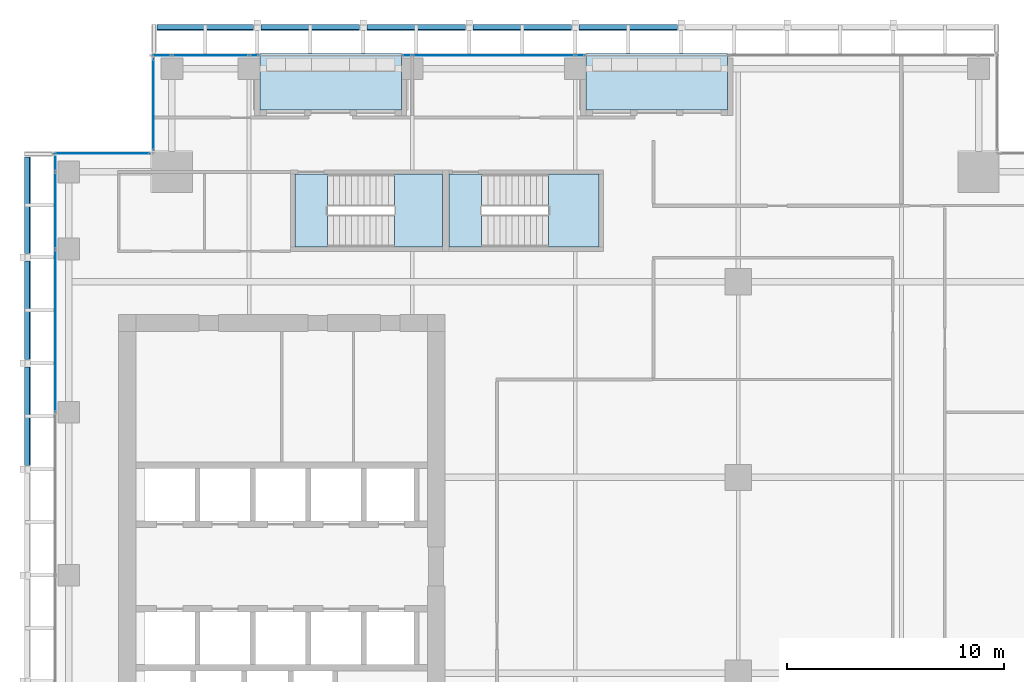
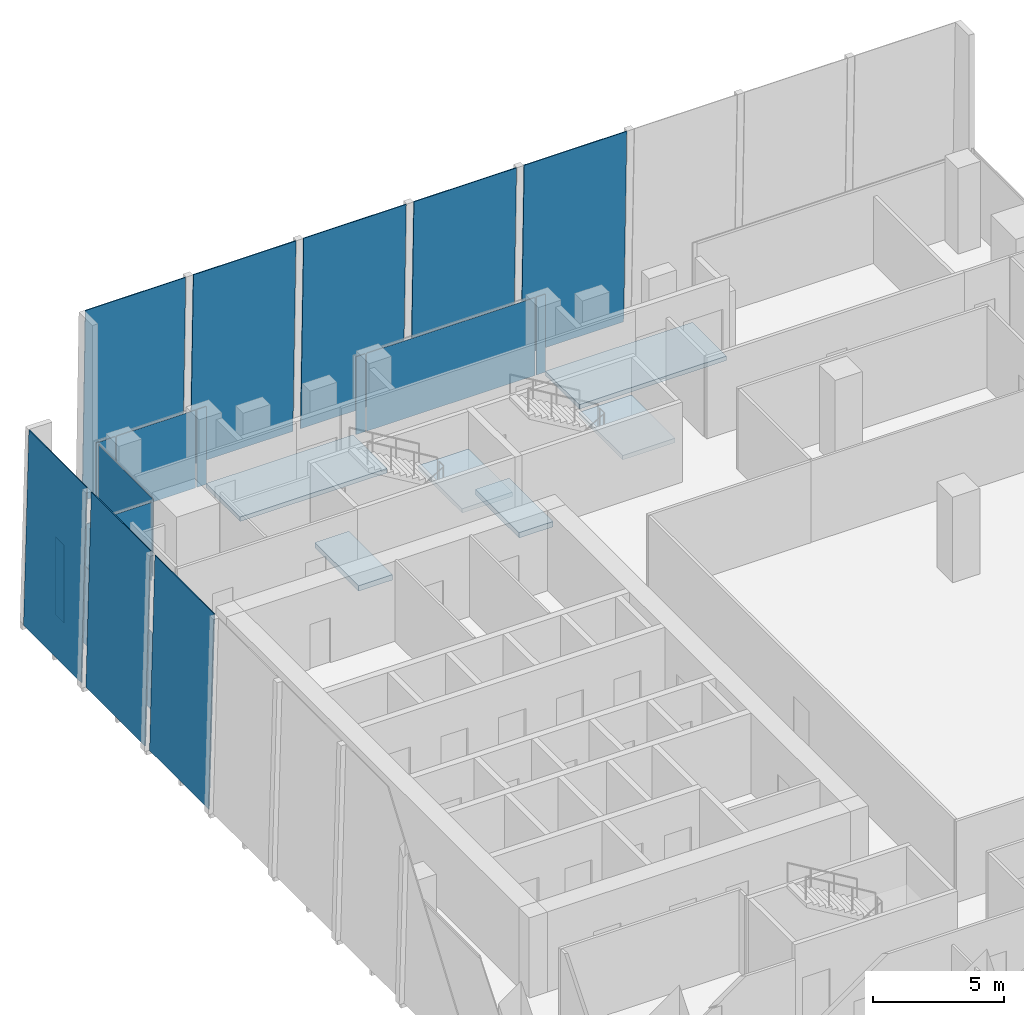
# One storey, part 26 of 35: 19 plates, 6 slabs, 7 elements without a shape of their own.
"""IFC4 building model written with IfcOpenShell, lengths in metres."""

import ifcopenshell
import ifcopenshell.guid

model = None  # the IFC model being written
_history = None  # IfcOwnerHistory: only IFC2X3 demands one
_inside = {}  # id of a spatial element -> (the spatial element, [elements in it])
_under = {}  # id of a project, library or spatial element -> (it, [spatial elements below it])
_declared = {}  # id of a project -> (the project, [libraries it declares])
_typed = {}  # id of a type object -> (the type object, [elements of that type])
_made_of = {}  # id of a material, layer set ... -> (it, [elements and type objects made of it])


def new_model(schema):
    """Start an empty IFC model of exactly this schema.

    Asked for "IFC4X3", IfcOpenShell would pick the latest addendum, in which some entities
    have other attributes; the version numbers below select the first issue.
    IFC2X3 requires an IfcOwnerHistory on every rooted entity: one is made here for all.
    """
    global model, _history
    if schema == "IFC4X3":
        model = ifcopenshell.file(schema_version=(4, 3, 0, 0))
    else:
        model = ifcopenshell.file(schema=schema)
    _inside.clear()
    _under.clear()
    _declared.clear()
    _typed.clear()
    _made_of.clear()
    _history = None
    if model.schema == "IFC2X3":
        org = make("IfcOrganization", Name="unknown")
        user = make(
            "IfcPersonAndOrganization",
            ThePerson=make("IfcPerson", FamilyName="unknown"),
            TheOrganization=org,
        )
        app = make(
            "IfcApplication",
            ApplicationDeveloper=org,
            Version="unknown",
            ApplicationFullName="unknown",
            ApplicationIdentifier="unknown",
        )
        _history = make(
            "IfcOwnerHistory",
            OwningUser=user,
            OwningApplication=app,
            ChangeAction="ADDED",
            CreationDate=0,
        )
    return model


def make(cls, **values):
    """One entity of the class cls with the attributes given. An attribute that is None is left unset."""
    return model.create_entity(
        cls, **{name: value for name, value in values.items() if value is not None}
    )


def rooted(cls, **values):
    """An entity with a GlobalId (a new one), such as an element, a storey or a relation."""
    return make(cls, GlobalId=ifcopenshell.guid.new(), OwnerHistory=_history, **values)


def si_unit(unit_type, name, prefix=None):
    """IfcSIUnit, for example si_unit("LENGTHUNIT", "METRE", prefix="MILLI")."""
    return make("IfcSIUnit", UnitType=unit_type, Prefix=prefix, Name=name)


def assignment(units):
    """IfcUnitAssignment: the units of a project."""
    return None if units is None else make("IfcUnitAssignment", Units=units)


def point(xyz):
    """IfcCartesianPoint."""
    return None if xyz is None else make("IfcCartesianPoint", Coordinates=xyz)


def direction(xyz):
    """IfcDirection."""
    return None if xyz is None else make("IfcDirection", DirectionRatios=xyz)


def frame(location, z_axis=None, x_axis=None):
    """IfcAxis2Placement3D, a coordinate frame: its origin and axes. An axis left out is left unset."""
    return make(
        "IfcAxis2Placement3D",
        Location=point(location),
        Axis=direction(z_axis),
        RefDirection=direction(x_axis),
    )


def frame_2d(location, x_axis=None):
    """IfcAxis2Placement2D, a coordinate frame in the plane: its origin and x axis."""
    return make(
        "IfcAxis2Placement2D", Location=point(location), RefDirection=direction(x_axis)
    )


def origin():
    """The frame at (0, 0, 0) with its axes left unset."""
    return frame((0.0, 0.0, 0.0))


def origin_2d():
    """The frame at (0, 0) in the plane with its x axis left unset."""
    return frame_2d((0.0, 0.0))


def place(relative_to, where):
    """IfcLocalPlacement: puts the frame where relative to a parent placement (None: the world)."""
    return make(
        "IfcLocalPlacement", PlacementRelTo=relative_to, RelativePlacement=where
    )


def context(
    kind, dimensions, precision=None, world=None, true_north=None, identifier=None
):
    """IfcGeometricRepresentationContext, for example the 3D "Model" context."""
    return make(
        "IfcGeometricRepresentationContext",
        ContextIdentifier=identifier,
        ContextType=kind,
        CoordinateSpaceDimension=dimensions,
        Precision=precision,
        WorldCoordinateSystem=world,
        TrueNorth=true_north,
    )


def subcontext(parent, identifier, kind, view, scale=None):
    """IfcGeometricRepresentationSubContext, for example "Body" below "Model"."""
    return make(
        "IfcGeometricRepresentationSubContext",
        ContextIdentifier=identifier,
        ContextType=kind,
        ParentContext=parent,
        TargetScale=scale,
        TargetView=view,
    )


def project(units=None, contexts=None):
    """IfcProject with its units and contexts."""
    return rooted(
        "IfcProject",
        Name="project",
        RepresentationContexts=contexts,
        UnitsInContext=assignment(units),
    )


def spatial(cls, under=None, at=None, **own):
    """A site, building, storey or space (cls), placed at a placement, below another one or the project."""
    s = rooted(cls, ObjectPlacement=at, **own)
    if under is not None:
        _under.setdefault(under.id(), (under, []))[1].append(s)
    return s


def polyline(points):
    """IfcPolyline through the points."""
    return make("IfcPolyline", Points=[point(p) for p in points])


def profile(cls, at=None, kind="AREA", **sizes):
    """A parametric profile (cls). Its sizes go by their IFC names, for example OverallWidth=200.0."""
    return make(cls, ProfileType=kind, Position=at, **sizes)


def rectangle(**sizes):
    """IfcRectangleProfileDef."""
    return profile("IfcRectangleProfileDef", **sizes)


def outline(outer, holes=None, kind="AREA"):
    """IfcArbitraryClosedProfileDef: a profile drawn as a closed curve; with holes, ...WithVoids."""
    if holes is None:
        return make("IfcArbitraryClosedProfileDef", ProfileType=kind, OuterCurve=outer)
    return make(
        "IfcArbitraryProfileDefWithVoids",
        ProfileType=kind,
        OuterCurve=outer,
        InnerCurves=holes,
    )


def extrude(swept, where, along, depth):
    """IfcExtrudedAreaSolid: the profile swept, set in the frame where, extruded along a direction by depth."""
    return make(
        "IfcExtrudedAreaSolid",
        SweptArea=swept,
        Position=where,
        ExtrudedDirection=direction(along),
        Depth=depth,
    )


def shape(context_of_items, identifier, shape_type, items):
    """IfcShapeRepresentation: the items that make up one representation, for example the "Body"."""
    return make(
        "IfcShapeRepresentation",
        ContextOfItems=context_of_items,
        RepresentationIdentifier=identifier,
        RepresentationType=shape_type,
        Items=items,
    )


def source(mapping_origin, context_of_items, identifier, shape_type, items):
    """IfcRepresentationMap: a shape defined once, which mapped items show again and again."""
    return make(
        "IfcRepresentationMap",
        MappingOrigin=mapping_origin,
        MappedRepresentation=shape(context_of_items, identifier, shape_type, items),
    )


def transform(
    local_origin,
    x_axis=None,
    y_axis=None,
    z_axis=None,
    scale=None,
    scale2=None,
    scale3=None,
    uniform=True,
):
    """IfcCartesianTransformationOperator3D, or its non-uniform kind. x_axis, y_axis, z_axis: its Axis1, 2, 3."""
    if uniform:
        return make(
            "IfcCartesianTransformationOperator3D",
            Axis1=direction(x_axis),
            Axis2=direction(y_axis),
            LocalOrigin=point(local_origin),
            Scale=scale,
            Axis3=direction(z_axis),
        )
    return make(
        "IfcCartesianTransformationOperator3DnonUniform",
        Axis1=direction(x_axis),
        Axis2=direction(y_axis),
        LocalOrigin=point(local_origin),
        Scale=scale,
        Axis3=direction(z_axis),
        Scale2=scale2,
        Scale3=scale3,
    )


def mapped(mapping_source, mapping_target):
    """IfcMappedItem: shows the shape of a source again, moved by a transform."""
    return make(
        "IfcMappedItem", MappingSource=mapping_source, MappingTarget=mapping_target
    )


def material(Name=None, Category=None):
    """IfcMaterial."""
    return make("IfcMaterial", Name=Name, Category=Category)


def layer(
    of_material, thickness, ventilated=None, Name=None, Category=None, Priority=None
):
    """IfcMaterialLayer: one layer of a wall or slab, of a material (None: an air gap)."""
    return make(
        "IfcMaterialLayer",
        Material=of_material,
        LayerThickness=thickness,
        IsVentilated=ventilated,
        Name=Name,
        Category=Category,
        Priority=Priority,
    )


def layer_set(layers, Name=None):
    """IfcMaterialLayerSet."""
    return make("IfcMaterialLayerSet", MaterialLayers=layers, LayerSetName=Name)


def made_of(thing, what):
    """Note that an element or type object is made of a material, layer set ...; save() writes the relation."""
    if what is not None:
        _made_of.setdefault(what.id(), (what, []))[1].append(thing)
    return thing


def type_object(cls, material=None, **own):
    """A type object (cls), such as IfcWallType, which elements share."""
    return made_of(rooted(cls, **own), material)


def element(
    cls,
    number,
    at=None,
    inside=None,
    cuts=None,
    type_object=None,
    material=None,
    context=None,
    identifier="Body",
    shape_type=None,
    held_by="IfcProductDefinitionShape",
    body=None,
    shapes=None,
    **own,
):
    """One element of the class cls, such as IfcWall. Its Tag is "e" and its number.

    at: its placement. inside: the storey or other place that contains it. cuts: it is an
    opening in that element (IfcRelVoidsElement). A single representation is given by context,
    identifier, shape_type and body (its items); several are given by shapes. held_by: the class
    of the entity that holds the representations. save() writes the other relations.
    """
    e = rooted(cls, Tag="e%d" % number, ObjectPlacement=at, **own)
    if body is not None:
        shapes = [shape(context, identifier, shape_type, body)]
    if shapes is not None:
        e.Representation = make(held_by, Representations=shapes)
    if inside is not None:
        _inside.setdefault(inside.id(), (inside, []))[1].append(e)
    if cuts is not None:
        rooted(
            "IfcRelVoidsElement", RelatingBuildingElement=cuts, RelatedOpeningElement=e
        )
    if type_object is not None:
        _typed.setdefault(type_object.id(), (type_object, []))[1].append(e)
    return made_of(e, material)


def aggregate(whole, parts):
    """IfcRelAggregates: a whole, such as a stair, and the parts it consists of."""
    return rooted("IfcRelAggregates", RelatingObject=whole, RelatedObjects=parts)


def save(model, path):
    """Write the relations noted so far, then the file.

    IfcRelAggregates (storeys below a building ...), IfcRelContainedInSpatialStructure (elements
    in a storey), IfcRelDefinesByType, IfcRelAssociatesMaterial and IfcRelDeclares: one each for
    every whole, place, type object, material and project.
    """
    for whole, parts in _under.values():
        aggregate(whole, parts)
    for where, things in _inside.values():
        rooted(
            "IfcRelContainedInSpatialStructure",
            RelatedElements=things,
            RelatingStructure=where,
        )
    for kind, things in _typed.values():
        rooted("IfcRelDefinesByType", RelatedObjects=things, RelatingType=kind)
    for what, things in _made_of.values():
        rooted("IfcRelAssociatesMaterial", RelatedObjects=things, RelatingMaterial=what)
    for by, libraries in _declared.values():
        rooted("IfcRelDeclares", RelatingContext=by, RelatedDefinitions=libraries)
    model.write(path)


model = new_model("IFC4")

# Units and contexts
model_context = context("Model", 3, precision=1e-05, world=origin(), true_north=direction((0.0, 1.0)))
body_context = subcontext(model_context, "Body", "Model", "MODEL_VIEW")
ifc_project = project(units=[si_unit("LENGTHUNIT", "METRE"), si_unit("AREAUNIT", "SQUARE_METRE"), si_unit("VOLUMEUNIT", "CUBIC_METRE"), si_unit("PLANEANGLEUNIT", "RADIAN"), si_unit("MASSUNIT", "GRAM", prefix="KILO")], contexts=[model_context])

# Site, building, storey
site_placement = place(None, origin())
site = spatial("IfcSite", under=ifc_project, at=site_placement, CompositionType="ELEMENT")
building_placement = place(site_placement, origin())
building = spatial("IfcBuilding", under=site, at=building_placement, Name="Khomas Fold Tower", CompositionType="ELEMENT")
storey_placement = place(building_placement, frame((0.0, 0.0, 212.699951171875)))
storey = spatial("IfcBuildingStorey", under=building, at=storey_placement, Name="L47", CompositionType="ELEMENT", Elevation=212.699951171875)

# Plates
ifc_material_1 = material(Name="Clear laminated glass", Category="glass")
ifc_layer_1 = layer(ifc_material_1, 0.0400390625)
ifc_layer_set_1 = layer_set([ifc_layer_1], Name="Clear laminated glass")
plate_type_1 = type_object("IfcPlateType", Name="SK-Clear laminated glass leaf", PredefinedType="SHEET", material=ifc_layer_set_1)
plate_1_placement = place(storey_placement, frame((7.77001953125, 52.328125, 0.0009765625), z_axis=(0.0, 0.999657103303, 0.026185412267), x_axis=(1.0, 0.0, 0.0)))
element("IfcPlate", 1, at=plate_1_placement, inside=storey, type_object=plate_type_1, Name="OUTER SKIN glass L47 N1", PredefinedType="SHEET", context=body_context, shape_type="SweptSolid", body=[
    extrude(outline(polyline([(0.0, 0.0), (4.43505859375, 0.0), (4.43505859375, -9.053153124427498), (0.0, -9.053153124427498), (0.0, 0.0)])), origin(), (0.0, 0.0, -1.0), 0.0400390625),
])
for number, where, z_axis, x_axis, name in (
    (2, (12.544921875, 52.328125, 0.0009765625), (0.0, 0.999657103303, 0.026185412267), (1.0, 0.0, 0.0), "OUTER SKIN glass L47 N3"),
    (3, (17.419921875, 52.328125, 0.0009765625), (0.0, 0.999657103303, 0.026185412267), (1.0, 0.0, 0.0), "OUTER SKIN glass L47 N5"),
    (4, (22.294921875, 52.328125, 0.0009765625), (0.0, 0.999657103303, 0.026185412267), (1.0, 0.0, 0.0), "OUTER SKIN glass L47 N7"),
    (5, (27.169921875, 52.328125, 0.0009765625), (0.0, 0.999657103303, 0.026185412267), (1.0, 0.0, 0.0), "OUTER SKIN glass L47 N9"),
    (6, (1.671875, 32.044921875, 0.0009765625), (-0.999657103303, 0.0, 0.026185412267), (0.0, 1.0, 0.0), "OUTER SKIN glass L47 W11"),
    (7, (1.671875, 36.919921875, 0.0009765625), (-0.999657103303, 0.0, 0.026185412267), (0.0, 1.0, 0.0), "OUTER SKIN glass L47 W13"),
):
    element("IfcPlate", number, at=place(storey_placement, frame(where, z_axis=z_axis, x_axis=x_axis)), inside=storey, type_object=plate_type_1, Name=name, PredefinedType="SHEET", context=body_context, shape_type="SweptSolid", body=[
        extrude(outline(polyline([(0.0, 0.0), (4.53515625, 0.0), (4.53515625, -9.053153124427498), (0.0, -9.053153124427498), (0.0, 0.0)])), origin(), (0.0, 0.0, -1.0), 0.0400390625),
    ])
plate_2_placement = place(storey_placement, frame((1.671875, 41.794921875, 0.0009765625), z_axis=(-0.999657103303, 0.0, 0.026185412267), x_axis=(0.0, 1.0, 0.0)))
element("IfcPlate", 8, at=plate_2_placement, inside=storey, type_object=plate_type_1, Name="OUTER SKIN glass L47 W15", PredefinedType="SHEET", context=body_context, shape_type="SweptSolid", body=[
    extrude(outline(polyline([(0.0, 0.0), (4.43505859375, 0.0), (4.43505859375, -9.053153124427498), (0.0, -9.053153124427498), (0.0, 0.0)])), origin(), (0.0, 0.0, -1.0), 0.0400390625),
])

# Curtain wall, plate
ifc_material_2 = material(Name="Aluminium framed double glazing", Category="aluminium")
curtain_wall_type = type_object("IfcCurtainWallType", Name="SK-Unitised clear-glass wall, office floors CW2", PredefinedType="NOTDEFINED", material=ifc_material_2)
curtain_wall_1_placement = place(storey_placement, origin())
curtain_wall_1 = element("IfcCurtainWall", 9, at=curtain_wall_1_placement, inside=storey, type_object=curtain_wall_type, Name="CW2 corner return L47 08", PredefinedType="NOTDEFINED")
ifc_material_3 = material(Name="Clear double glazed unit")
ifc_layer_2 = layer(ifc_material_3, 0.030029296875)
ifc_layer_set_2 = layer_set([ifc_layer_2], Name="Clear double glazed unit")
plate_type_2 = type_object("IfcPlateType", Name="SK-Unitised clear-glass wall, office floors glass panel CW2-P", PredefinedType="CURTAIN_PANEL", material=ifc_layer_set_2)
shared_shape_1 = source(origin(), body_context, "Body", "SweptSolid", [
    extrude(rectangle(XDim=4.3798828125, YDim=0.030029296875, at=origin_2d()), origin(), (0.0, 0.0, 1.0), 3.639892578125),
])
plate_3_placement = place(storey_placement, frame((5.25, 46.39990234375, 0.0), z_axis=(0.0, 0.0, 1.0), x_axis=(-1.0, 0.0, 0.0)))
plate_3 = element("IfcPlate", 10, at=plate_3_placement, type_object=plate_type_2, Name="CW2 glass panel 1", PredefinedType="CURTAIN_PANEL", context=body_context, shape_type="MappedRepresentation", body=[
    mapped(shared_shape_1, transform((0.0, 0.0, 0.0))),
])
aggregate(curtain_wall_1, [plate_3])

curtain_wall_2_placement = place(storey_placement, origin())
curtain_wall_2 = element("IfcCurtainWall", 11, at=curtain_wall_2_placement, inside=storey, type_object=curtain_wall_type, Name="CW2 run L47 09-0", PredefinedType="NOTDEFINED")
shared_shape_2 = source(origin(), body_context, "Body", "SweptSolid", [
    extrude(rectangle(XDim=0.659912109375, YDim=0.030029296875, at=origin_2d()), origin(), (0.0, 0.0, 1.0), 3.639892578125),
])
plate_4_placement = place(storey_placement, frame((3.10009765625, 45.909912109375, 0.0), z_axis=(0.0, 0.0, 1.0), x_axis=(0.0, -1.0, 0.0)))
plate_4 = element("IfcPlate", 12, at=plate_4_placement, type_object=plate_type_2, Name="CW2 glass panel 1", PredefinedType="CURTAIN_PANEL", context=body_context, shape_type="MappedRepresentation", body=[
    mapped(shared_shape_2, transform((0.0, 0.0, 0.0))),
])

curtain_wall_3_placement = place(storey_placement, origin())
curtain_wall_3 = element("IfcCurtainWall", 13, at=curtain_wall_3_placement, inside=storey, type_object=curtain_wall_type, Name="CW2 run L47 06-2", PredefinedType="NOTDEFINED")
shared_shape_3 = source(origin(), body_context, "Body", "SweptSolid", [
    extrude(rectangle(XDim=3.489990234375, YDim=0.030029296875, at=origin_2d()), origin(), (0.0, 0.0, 1.0), 3.639892578125),
])
plate_5_placement = place(storey_placement, frame((10.22509765625, 50.89990234375, 0.0), z_axis=(0.0, 0.0, 1.0), x_axis=(-1.0, 0.0, 0.0)))
plate_5 = element("IfcPlate", 14, at=plate_5_placement, type_object=plate_type_2, Name="CW2 glass panel 2", PredefinedType="CURTAIN_PANEL", context=body_context, shape_type="MappedRepresentation", body=[
    mapped(shared_shape_3, transform((0.0, 0.0, 0.0))),
])

# Plate
plate_6_placement = place(storey_placement, frame((3.10009765625, 43.77490234375, 0.0), z_axis=(0.0, 0.0, 1.0), x_axis=(0.0, -1.0, 0.0)))
plate_6 = element("IfcPlate", 15, at=plate_6_placement, type_object=plate_type_2, Name="CW2 glass panel 2", PredefinedType="CURTAIN_PANEL", context=body_context, shape_type="MappedRepresentation", body=[
    mapped(shared_shape_3, transform((0.0, 0.0, 0.0))),
])

# Curtain wall, plate
curtain_wall_4_placement = place(storey_placement, origin())
curtain_wall_4 = element("IfcCurtainWall", 16, at=curtain_wall_4_placement, inside=storey, type_object=curtain_wall_type, Name="CW2 run L47 06-1", PredefinedType="NOTDEFINED")
shared_shape_4 = source(origin(), body_context, "Body", "SweptSolid", [
    extrude(rectangle(XDim=7.43994140625, YDim=0.030029296875, at=origin_2d()), origin(), (0.0, 0.0, 1.0), 3.639892578125),
])
plate_7_placement = place(storey_placement, frame((23.25, 50.89990234375, 0.0), z_axis=(0.0, 0.0, 1.0), x_axis=(-1.0, 0.0, 0.0)))
plate_7 = element("IfcPlate", 17, at=plate_7_placement, type_object=plate_type_2, Name="CW2 glass panel 2", PredefinedType="CURTAIN_PANEL", context=body_context, shape_type="MappedRepresentation", body=[
    mapped(shared_shape_4, transform((0.0, 0.0, 0.0))),
])

# Plate
plate_8_placement = place(storey_placement, frame((3.10009765625, 38.25, 0.0), z_axis=(0.0, 0.0, 1.0), x_axis=(0.0, -1.0, 0.0)))
plate_8 = element("IfcPlate", 18, at=plate_8_placement, type_object=plate_type_2, Name="CW2 glass panel 3", PredefinedType="CURTAIN_PANEL", context=body_context, shape_type="MappedRepresentation", body=[
    mapped(shared_shape_4, transform((0.0, 0.0, 0.0))),
])

aggregate(curtain_wall_2, [plate_4, plate_6, plate_8])

# Curtain wall, plate
curtain_wall_5_placement = place(storey_placement, origin())
curtain_wall_5 = element("IfcCurtainWall", 19, at=curtain_wall_5_placement, inside=storey, type_object=curtain_wall_type, Name="CW2 corner return L47 07", PredefinedType="NOTDEFINED")
shared_shape_5 = source(origin(), body_context, "Body", "SweptSolid", [
    extrude(rectangle(XDim=4.179931640625, YDim=0.030029296875, at=origin_2d()), origin(), (0.0, 0.0, 1.0), 3.639892578125),
])
plate_9_placement = place(storey_placement, frame((7.60009765625, 48.64990234375, 0.0), z_axis=(0.0, 0.0, 1.0), x_axis=(0.0, -1.0, 0.0)))
plate_9 = element("IfcPlate", 20, at=plate_9_placement, type_object=plate_type_2, Name="CW2 glass panel 1", PredefinedType="CURTAIN_PANEL", context=body_context, shape_type="MappedRepresentation", body=[
    mapped(shared_shape_5, transform((0.0, 0.0, 0.0))),
])
aggregate(curtain_wall_5, [plate_9])

# Plate
shared_shape_6 = source(origin(), body_context, "Body", "SweptSolid", [
    extrude(rectangle(XDim=0.409912109375, YDim=0.030029296875, at=origin_2d()), origin(), (0.0, 0.0, 1.0), 3.639892578125),
])
plate_10_placement = place(storey_placement, frame((27.235107421875, 50.89990234375, 0.0), z_axis=(0.0, 0.0, 1.0), x_axis=(-1.0, 0.0, 0.0)))
plate_10 = element("IfcPlate", 21, at=plate_10_placement, type_object=plate_type_2, Name="CW2 glass panel 1", PredefinedType="CURTAIN_PANEL", context=body_context, shape_type="MappedRepresentation", body=[
    mapped(shared_shape_6, transform((0.0, 0.0, 0.0))),
])

plate_11_placement = place(storey_placement, frame((19.264892578125, 50.89990234375, 0.0), z_axis=(0.0, 0.0, 1.0), x_axis=(-1.0, 0.0, 0.0)))
plate_11 = element("IfcPlate", 22, at=plate_11_placement, type_object=plate_type_2, Name="CW2 glass panel 3", PredefinedType="CURTAIN_PANEL", context=body_context, shape_type="MappedRepresentation", body=[
    mapped(shared_shape_6, transform((0.0, 0.0, 0.0))),
])

aggregate(curtain_wall_4, [plate_10, plate_7, plate_11])

plate_12_placement = place(storey_placement, frame((12.235107421875, 50.89990234375, 0.0), z_axis=(0.0, 0.0, 1.0), x_axis=(-1.0, 0.0, 0.0)))
plate_12 = element("IfcPlate", 23, at=plate_12_placement, type_object=plate_type_2, Name="CW2 glass panel 1", PredefinedType="CURTAIN_PANEL", context=body_context, shape_type="MappedRepresentation", body=[
    mapped(shared_shape_6, transform((0.0, 0.0, 0.0))),
])

shared_shape_7 = source(origin(), body_context, "Body", "SweptSolid", [
    extrude(rectangle(XDim=0.860107421875, YDim=0.030029296875, at=origin_2d()), origin(), (0.0, 0.0, 1.0), 3.639892578125),
])
plate_13_placement = place(storey_placement, frame((7.989990234375, 50.89990234375, 0.0), z_axis=(0.0, 0.0, 1.0), x_axis=(-1.0, 0.0, 0.0)))
plate_13 = element("IfcPlate", 24, at=plate_13_placement, type_object=plate_type_2, Name="CW2 glass panel 3", PredefinedType="CURTAIN_PANEL", context=body_context, shape_type="MappedRepresentation", body=[
    mapped(shared_shape_7, transform((0.0, 0.0, 0.0))),
])

aggregate(curtain_wall_3, [plate_12, plate_5, plate_13])

# Slabs
ifc_material_4 = material(Name="Concrete C40/50", Category="concrete")
ifc_layer_3 = layer(ifc_material_4, 0.205078125)
ifc_layer_set_3 = layer_set([ifc_layer_3], Name="Concrete C40/50")
slab_type_1 = type_object("IfcSlabType", Name="BL-Balcony deck 205", PredefinedType="FLOOR", material=ifc_layer_set_3)
shared_shape_8 = source(origin(), body_context, "Body", "SweptSolid", [
    extrude(outline(polyline([(12.5, 48.39990234375), (19.0, 48.39990234375), (19.0, 51.0), (12.5, 51.0), (12.5, 48.39990234375)])), origin(), (0.0, 0.0, 1.0), 0.205078125),
])
slab_1_placement = place(storey_placement, frame((0.0, 0.0, -0.25)))
element("IfcSlab", 25, at=slab_1_placement, inside=storey, type_object=slab_type_1, Name="Balcony deck BAL-L47-N1", PredefinedType="FLOOR", context=body_context, shape_type="MappedRepresentation", body=[
    mapped(shared_shape_8, transform((0.0, 0.0, 0.0))),
])
shared_shape_9 = source(origin(), body_context, "Body", "SweptSolid", [
    extrude(outline(polyline([(27.5, 48.39990234375), (34.0, 48.39990234375), (34.0, 51.0), (27.5, 51.0), (27.5, 48.39990234375)])), origin(), (0.0, 0.0, 1.0), 0.205078125),
])
slab_2_placement = place(storey_placement, frame((0.0, 0.0, -0.25)))
element("IfcSlab", 26, at=slab_2_placement, inside=storey, type_object=slab_type_1, Name="Balcony deck BAL-L47-N3", PredefinedType="FLOOR", context=body_context, shape_type="MappedRepresentation", body=[
    mapped(shared_shape_9, transform((0.0, 0.0, 0.0))),
])

# Stair, slab
ifc_material_5 = material(Name="Concrete C40/50", Category="concrete")
stair_type_1 = type_object("IfcStairType", Name="Stair ST1", PredefinedType="HALF_TURN_STAIR", material=ifc_material_5)
stair_1_placement = place(storey_placement, origin())
stair_1 = element("IfcStair", 27, at=stair_1_placement, inside=storey, type_object=stair_type_1, Name="L47 ST1", PredefinedType="HALF_TURN_STAIR")
ifc_material_6 = material(Name="Concrete C40/50", Category="concrete")
ifc_layer_4 = layer(ifc_material_6, 0.199951171875)
ifc_layer_set_4 = layer_set([ifc_layer_4], Name="Concrete C40/50")
slab_type_2 = type_object("IfcSlabType", Name="Stair landing 200", PredefinedType="LANDING", material=ifc_layer_set_4)
shared_shape_10 = source(origin(), body_context, "Body", "SweptSolid", [
    extrude(outline(polyline([(18.679931640625, 42.10009765625), (20.89990234375, 42.10009765625), (20.89990234375, 45.449951171875), (18.679931640625, 45.449951171875), (18.679931640625, 42.10009765625)])), origin(), (0.0, 0.0, 1.0), 0.199951171875),
])
slab_3_placement = place(storey_placement, frame((0.0, 0.0, 1.800048828125)))
slab_3 = element("IfcSlab", 28, at=slab_3_placement, type_object=slab_type_2, Name="ST1 landing 1", PredefinedType="LANDING", context=body_context, shape_type="MappedRepresentation", body=[
    mapped(shared_shape_10, transform((0.0, 0.0, 0.0))),
])
aggregate(stair_1, [slab_3])

# Slab
ifc_material_7 = material(Name="Concrete C40/50", Category="concrete")
ifc_layer_5 = layer(ifc_material_7, 0.25)
ifc_layer_set_5 = layer_set([ifc_layer_5], Name="Concrete C40/50")
slab_type_3 = type_object("IfcSlabType", Name="Stair floor landing 250", PredefinedType="LANDING", material=ifc_layer_set_5)
shared_shape_11 = source(origin(), body_context, "Body", "SweptSolid", [
    extrude(outline(polyline([(15.60009765625, 42.10009765625), (14.10009765625, 42.10009765625), (14.10009765625, 45.449951171875), (15.60009765625, 45.449951171875), (15.60009765625, 42.10009765625)])), origin(), (0.0, 0.0, 1.0), 0.25),
])
slab_4_placement = place(storey_placement, frame((0.0, 0.0, -0.25)))
element("IfcSlab", 29, at=slab_4_placement, inside=storey, type_object=slab_type_3, Name="ST1 floor landing", PredefinedType="LANDING", context=body_context, shape_type="MappedRepresentation", body=[
    mapped(shared_shape_11, transform((0.0, 0.0, 0.0))),
])

# Stair, slab
ifc_material_8 = material(Name="Concrete C40/50", Category="concrete")
stair_type_2 = type_object("IfcStairType", Name="Stair ST3", PredefinedType="HALF_TURN_STAIR", material=ifc_material_8)
stair_2_placement = place(storey_placement, origin())
stair_2 = element("IfcStair", 30, at=stair_2_placement, inside=storey, type_object=stair_type_2, Name="L47 ST3", PredefinedType="HALF_TURN_STAIR")
shared_shape_12 = source(origin(), body_context, "Body", "SweptSolid", [
    extrude(outline(polyline([(25.780029296875, 42.10009765625), (28.10009765625, 42.10009765625), (28.10009765625, 45.449951171875), (25.780029296875, 45.449951171875), (25.780029296875, 42.10009765625)])), origin(), (0.0, 0.0, 1.0), 0.199951171875),
])
slab_5_placement = place(storey_placement, frame((0.0, 0.0, 1.800048828125)))
slab_5 = element("IfcSlab", 31, at=slab_5_placement, type_object=slab_type_2, Name="ST3 landing 1", PredefinedType="LANDING", context=body_context, shape_type="MappedRepresentation", body=[
    mapped(shared_shape_12, transform((0.0, 0.0, 0.0))),
])
aggregate(stair_2, [slab_5])

# Slab
shared_shape_13 = source(origin(), body_context, "Body", "SweptSolid", [
    extrude(outline(polyline([(22.699951171875, 42.10009765625), (21.199951171875, 42.10009765625), (21.199951171875, 45.449951171875), (22.699951171875, 45.449951171875), (22.699951171875, 42.10009765625)])), origin(), (0.0, 0.0, 1.0), 0.25),
])
slab_6_placement = place(storey_placement, frame((0.0, 0.0, -0.25)))
element("IfcSlab", 32, at=slab_6_placement, inside=storey, type_object=slab_type_3, Name="ST3 floor landing", PredefinedType="LANDING", context=body_context, shape_type="MappedRepresentation", body=[
    mapped(shared_shape_13, transform((0.0, 0.0, 0.0))),
])

save(model, "model.ifc")
